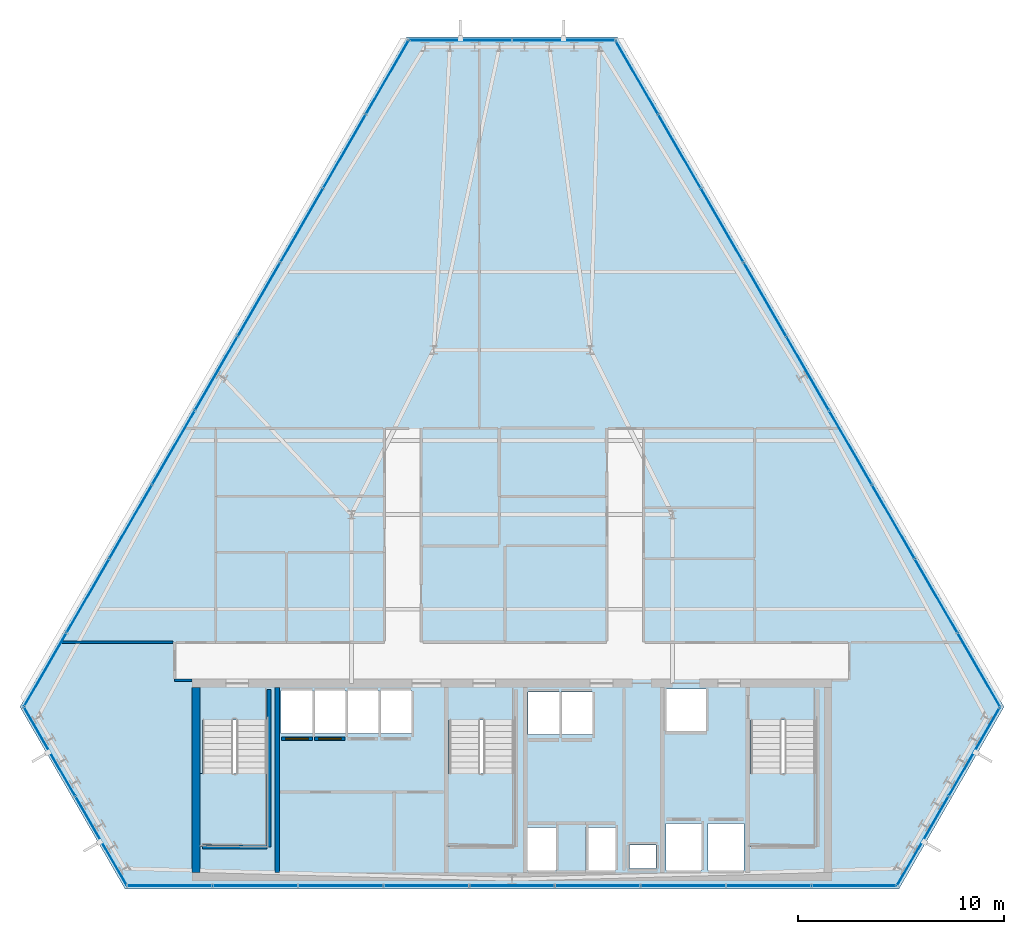
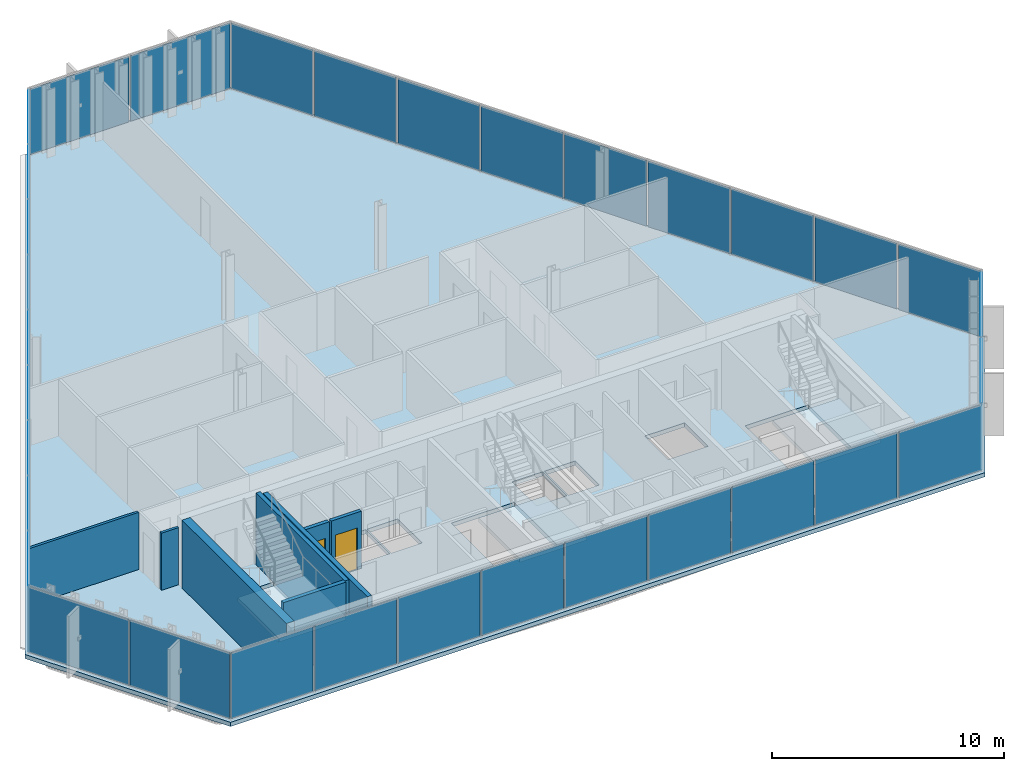
# One storey, part 27 of 35: 33 plates, 8 walls, 4 slabs, 2 doors, 2 openings, 9 elements without a shape of their own.
"""IFC4 building model written with IfcOpenShell, lengths in metres."""

from ifc_helpers import new_model, si_unit, direction, frame, frame_2d, origin, origin_2d, place, context, subcontext, project, spatial, polyline, rectangle, outline, extrude, material, layer, layer_set, type_object, element, fill, aggregate, save


model = new_model("IFC4")

# Units and contexts
model_context = context("Model", 3, precision=1e-05, world=origin(), true_north=direction((0.0, 1.0)))
body_context = subcontext(model_context, "Body", "Model", "MODEL_VIEW")
ifc_project = project(units=[si_unit("LENGTHUNIT", "METRE"), si_unit("AREAUNIT", "SQUARE_METRE"), si_unit("VOLUMEUNIT", "CUBIC_METRE"), si_unit("PLANEANGLEUNIT", "RADIAN"), si_unit("MASSUNIT", "GRAM", prefix="KILO")], contexts=[model_context])

# Site, building, storey
site_placement = place(None, origin())
site = spatial("IfcSite", under=ifc_project, at=site_placement, CompositionType="ELEMENT")
building_placement = place(site_placement, origin())
building = spatial("IfcBuilding", under=site, at=building_placement, Name="Ndaravel Arena Tower", CompositionType="ELEMENT")
storey_placement = place(building_placement, frame((0.0, 0.0, 172.60009765625)))
storey = spatial("IfcBuildingStorey", under=building, at=storey_placement, Name="L41", CompositionType="ELEMENT", Elevation=172.60009765625)

# Curtain wall, plate
ifc_material_1 = material(Name="Aluminium", Category="aluminium")
ifc_layer_1 = layer(ifc_material_1, 0.179931640625)
ifc_layer_set_1 = layer_set([ifc_layer_1], Name="Aluminium")
curtain_wall_type_1 = type_object("IfcCurtainWallType", Name="CW-SYS-01", PredefinedType="NOTDEFINED", material=ifc_layer_set_1)
curtain_wall_1_placement = place(storey_placement, origin())
curtain_wall_1 = element("IfcCurtainWall", 1, at=curtain_wall_1_placement, inside=storey, type_object=curtain_wall_type_1, Name="L41 Faceted Crystal Curtain Wall CW-L41-E02", PredefinedType="NOTDEFINED")
ifc_material_2 = material(Name="Glazing", Category="glass")
ifc_layer_2 = layer(ifc_material_2, 0.035888671875)
ifc_layer_set_2 = layer_set([ifc_layer_2], Name="Glazing")
plate_type_1 = type_object("IfcPlateType", Name="PLT-CW-OPVENT", PredefinedType="CURTAIN_PANEL", material=ifc_layer_set_2)
plate_1_placement = place(storey_placement, frame((64.467529296875, 11.6796875, 0.059814453125), z_axis=(0.0, 0.0, 1.0), x_axis=(0.5, 0.866025403784, 0.0)))
plate_1 = element("IfcPlate", 2, at=plate_1_placement, type_object=plate_type_1, Name="CW-L41-E02 Operable Vent Sash Panel 02", PredefinedType="CURTAIN_PANEL", context=body_context, shape_type="SweptSolid", body=[
    extrude(rectangle(XDim=4.938720703125, YDim=0.035888671875, at=origin_2d()), origin(), (0.0, 0.0, 1.0), 3.4599609375),
])

curtain_wall_2_placement = place(storey_placement, origin())
curtain_wall_2 = element("IfcCurtainWall", 3, at=curtain_wall_2_placement, inside=storey, type_object=curtain_wall_type_1, Name="L41 Faceted Crystal Curtain Wall CW-L41-E04", PredefinedType="NOTDEFINED")
plate_2_placement = place(storey_placement, frame((39.490478515625, 46.248291015625, 0.059814453125), z_axis=(0.0, 0.0, 1.0), x_axis=(-1.0, 0.0, 0.0)))
plate_2 = element("IfcPlate", 4, at=plate_2_placement, type_object=plate_type_1, Name="CW-L41-E04 Operable Vent Sash Panel 02", PredefinedType="CURTAIN_PANEL", context=body_context, shape_type="SweptSolid", body=[
    extrude(rectangle(XDim=4.938720703125, YDim=0.035888671875, at=origin_2d()), origin(), (0.0, 0.0, 1.0), 3.4599609375),
])

ifc_material_3 = material(Name="Aluminium", Category="aluminium")
ifc_layer_3 = layer(ifc_material_3, 0.179931640625)
ifc_layer_set_3 = layer_set([ifc_layer_3], Name="Aluminium")
curtain_wall_type_2 = type_object("IfcCurtainWallType", Name="CW-SYS-02", PredefinedType="NOTDEFINED", material=ifc_layer_set_3)
curtain_wall_3_placement = place(storey_placement, origin())
curtain_wall_3 = element("IfcCurtainWall", 5, at=curtain_wall_3_placement, inside=storey, type_object=curtain_wall_type_2, Name="L41 Faceted Crystal Curtain Wall CW-L41-E06", PredefinedType="NOTDEFINED")
plate_3_placement = place(storey_placement, frame((22.0419921875, 7.333251953125, 0.059814453125), z_axis=(0.0, 0.0, 1.0), x_axis=(0.5, -0.866025403784, 0.0)))
plate_3 = element("IfcPlate", 6, at=plate_3_placement, type_object=plate_type_1, Name="CW-L41-E06 Operable Vent Sash Panel 02", PredefinedType="CURTAIN_PANEL", context=body_context, shape_type="SweptSolid", body=[
    extrude(rectangle(XDim=4.938720703125, YDim=0.035888671875, at=origin_2d()), origin(), (0.0, 0.0, 1.0), 3.4599609375),
])

# Plate
ifc_material_4 = material(Name="Glazing", Category="glass")
ifc_layer_4 = layer(ifc_material_4, 0.031982421875)
ifc_layer_set_4 = layer_set([ifc_layer_4], Name="Glazing")
plate_type_2 = type_object("IfcPlateType", Name="PLT-GLZ-FRIT35", PredefinedType="CURTAIN_PANEL", material=ifc_layer_set_4)
plate_4_placement = place(storey_placement, frame((61.9580078125, 7.333251953125, 0.059814453125), z_axis=(0.0, 0.0, 1.0), x_axis=(0.5, 0.866025403784, 0.0)))
plate_4 = element("IfcPlate", 7, at=plate_4_placement, type_object=plate_type_2, Name="CW-L41-E02 Vision Glass Panel 01", PredefinedType="CURTAIN_PANEL", context=body_context, shape_type="SweptSolid", body=[
    extrude(rectangle(XDim=4.938720703125, YDim=0.035888671875, at=origin_2d()), origin(), (0.0, 0.0, 1.0), 3.4599609375),
])

aggregate(curtain_wall_1, [plate_4, plate_1])

plate_5_placement = place(storey_placement, frame((44.509521484375, 46.248291015625, 0.059814453125), z_axis=(0.0, 0.0, 1.0), x_axis=(-1.0, 0.0, 0.0)))
plate_5 = element("IfcPlate", 8, at=plate_5_placement, type_object=plate_type_2, Name="CW-L41-E04 Vision Glass Panel 01", PredefinedType="CURTAIN_PANEL", context=body_context, shape_type="SweptSolid", body=[
    extrude(rectangle(XDim=4.938720703125, YDim=0.035888671875, at=origin_2d()), origin(), (0.0, 0.0, 1.0), 3.4599609375),
])

aggregate(curtain_wall_2, [plate_5, plate_2])

ifc_material_5 = material(Name="Glazing", Category="glass")
ifc_layer_5 = layer(ifc_material_5, 0.035888671875)
ifc_layer_set_5 = layer_set([ifc_layer_5], Name="Glazing")
plate_type_3 = type_object("IfcPlateType", Name="PLT-GLZ-FRIT55", PredefinedType="CURTAIN_PANEL", material=ifc_layer_set_5)
plate_6_placement = place(storey_placement, frame((19.532470703125, 11.6796875, 0.059814453125), z_axis=(0.0, 0.0, 1.0), x_axis=(0.5, -0.866025403784, 0.0)))
plate_6 = element("IfcPlate", 9, at=plate_6_placement, type_object=plate_type_3, Name="CW-L41-E06 Vision Glass Panel 01", PredefinedType="CURTAIN_PANEL", context=body_context, shape_type="SweptSolid", body=[
    extrude(rectangle(XDim=4.938720703125, YDim=0.035888671875, at=origin_2d()), origin(), (0.0, 0.0, 1.0), 3.4599609375),
])

aggregate(curtain_wall_3, [plate_6, plate_3])

# Curtain wall, plates
ifc_material_6 = material(Name="Aluminium", Category="aluminium")
ifc_layer_6 = layer(ifc_material_6, 0.179931640625)
ifc_layer_set_6 = layer_set([ifc_layer_6], Name="Aluminium")
curtain_wall_type_3 = type_object("IfcCurtainWallType", Name="CW-SYS-03", PredefinedType="NOTDEFINED", material=ifc_layer_set_6)
curtain_wall_4_placement = place(storey_placement, origin())
curtain_wall_4 = element("IfcCurtainWall", 10, at=curtain_wall_4_placement, inside=storey, type_object=curtain_wall_type_3, Name="L41 Faceted Crystal Curtain Wall CW-L41-E01", PredefinedType="NOTDEFINED")
ifc_material_7 = material(Name="Glazing", Category="glass")
ifc_layer_7 = layer(ifc_material_7, 0.0400390625)
ifc_layer_set_7 = layer_set([ifc_layer_7], Name="Glazing")
plate_type_4 = type_object("IfcPlateType", Name="PLT-GLZ-LOWIRON", PredefinedType="CURTAIN_PANEL", material=ifc_layer_set_7)
plate_7_placement = place(storey_placement, frame((25.374755859375, 5.159912109375, 0.059814453125), z_axis=(0.0, 0.0, 1.0), x_axis=(1.0, 0.0, 0.0)))
plate_7 = element("IfcPlate", 11, at=plate_7_placement, type_object=plate_type_4, Name="CW-L41-E01 Vision Glass Panel 01", PredefinedType="CURTAIN_PANEL", context=body_context, shape_type="SweptSolid", body=[
    extrude(rectangle(XDim=4.076416015625, YDim=0.035888671875, at=origin_2d()), origin(), (0.0, 0.0, 1.0), 3.4599609375),
])
plate_8_placement = place(storey_placement, frame((29.531005859375, 5.159912109375, 0.059814453125), z_axis=(0.0, 0.0, 1.0), x_axis=(1.0, 0.0, 0.0)))
plate_8 = element("IfcPlate", 12, at=plate_8_placement, type_object=plate_type_4, Name="CW-L41-E01 Vision Glass Panel 02", PredefinedType="CURTAIN_PANEL", context=body_context, shape_type="SweptSolid", body=[
    extrude(rectangle(XDim=4.076416015625, YDim=0.035888671875, at=origin_2d()), origin(), (0.0, 0.0, 1.0), 3.4599609375),
])
plate_9_placement = place(storey_placement, frame((33.6875, 5.159912109375, 0.059814453125), z_axis=(0.0, 0.0, 1.0), x_axis=(1.0, 0.0, 0.0)))
plate_9 = element("IfcPlate", 13, at=plate_9_placement, type_object=plate_type_4, Name="CW-L41-E01 Vision Glass Panel 03", PredefinedType="CURTAIN_PANEL", context=body_context, shape_type="SweptSolid", body=[
    extrude(rectangle(XDim=4.076416015625, YDim=0.035888671875, at=origin_2d()), origin(), (0.0, 0.0, 1.0), 3.4599609375),
])
plate_10_placement = place(storey_placement, frame((37.84375, 5.159912109375, 0.059814453125), z_axis=(0.0, 0.0, 1.0), x_axis=(1.0, 0.0, 0.0)))
plate_10 = element("IfcPlate", 14, at=plate_10_placement, type_object=plate_type_4, Name="CW-L41-E01 Vision Glass Panel 04", PredefinedType="CURTAIN_PANEL", context=body_context, shape_type="SweptSolid", body=[
    extrude(rectangle(XDim=4.076416015625, YDim=0.035888671875, at=origin_2d()), origin(), (0.0, 0.0, 1.0), 3.4599609375),
])
plate_11_placement = place(storey_placement, frame((42.0, 5.159912109375, 0.059814453125), z_axis=(0.0, 0.0, 1.0), x_axis=(1.0, 0.0, 0.0)))
plate_11 = element("IfcPlate", 15, at=plate_11_placement, type_object=plate_type_4, Name="CW-L41-E01 Vision Glass Panel 05", PredefinedType="CURTAIN_PANEL", context=body_context, shape_type="SweptSolid", body=[
    extrude(rectangle(XDim=4.076416015625, YDim=0.035888671875, at=origin_2d()), origin(), (0.0, 0.0, 1.0), 3.4599609375),
])
plate_12_placement = place(storey_placement, frame((46.15625, 5.159912109375, 0.059814453125), z_axis=(0.0, 0.0, 1.0), x_axis=(1.0, 0.0, 0.0)))
plate_12 = element("IfcPlate", 16, at=plate_12_placement, type_object=plate_type_4, Name="CW-L41-E01 Vision Glass Panel 06", PredefinedType="CURTAIN_PANEL", context=body_context, shape_type="SweptSolid", body=[
    extrude(rectangle(XDim=4.076416015625, YDim=0.035888671875, at=origin_2d()), origin(), (0.0, 0.0, 1.0), 3.4599609375),
])
plate_13_placement = place(storey_placement, frame((50.3125, 5.159912109375, 0.059814453125), z_axis=(0.0, 0.0, 1.0), x_axis=(1.0, 0.0, 0.0)))
plate_13 = element("IfcPlate", 17, at=plate_13_placement, type_object=plate_type_4, Name="CW-L41-E01 Vision Glass Panel 07", PredefinedType="CURTAIN_PANEL", context=body_context, shape_type="SweptSolid", body=[
    extrude(rectangle(XDim=4.076416015625, YDim=0.035888671875, at=origin_2d()), origin(), (0.0, 0.0, 1.0), 3.4599609375),
])
plate_14_placement = place(storey_placement, frame((54.468994140625, 5.159912109375, 0.059814453125), z_axis=(0.0, 0.0, 1.0), x_axis=(1.0, 0.0, 0.0)))
plate_14 = element("IfcPlate", 18, at=plate_14_placement, type_object=plate_type_4, Name="CW-L41-E01 Vision Glass Panel 08", PredefinedType="CURTAIN_PANEL", context=body_context, shape_type="SweptSolid", body=[
    extrude(rectangle(XDim=4.076416015625, YDim=0.035888671875, at=origin_2d()), origin(), (0.0, 0.0, 1.0), 3.4599609375),
])
plate_15_placement = place(storey_placement, frame((58.625244140625, 5.159912109375, 0.059814453125), z_axis=(0.0, 0.0, 1.0), x_axis=(1.0, 0.0, 0.0)))
plate_15 = element("IfcPlate", 19, at=plate_15_placement, type_object=plate_type_4, Name="CW-L41-E01 Vision Glass Panel 09", PredefinedType="CURTAIN_PANEL", context=body_context, shape_type="SweptSolid", body=[
    extrude(rectangle(XDim=4.076416015625, YDim=0.035888671875, at=origin_2d()), origin(), (0.0, 0.0, 1.0), 3.4599609375),
])
aggregate(curtain_wall_4, [plate_7, plate_8, plate_9, plate_10, plate_11, plate_12, plate_13, plate_14, plate_15])

curtain_wall_5_placement = place(storey_placement, origin())
curtain_wall_5 = element("IfcCurtainWall", 20, at=curtain_wall_5_placement, inside=storey, type_object=curtain_wall_type_3, Name="L41 Faceted Crystal Curtain Wall CW-L41-E03", PredefinedType="NOTDEFINED")
plate_16_placement = place(storey_placement, frame((64.68310546875, 15.652587890625, 0.059814453125), z_axis=(0.0, 0.0, 1.0), x_axis=(-0.5, 0.866025403784, 0.0)))
plate_16 = element("IfcPlate", 21, at=plate_16_placement, type_object=plate_type_4, Name="CW-L41-E03 Vision Glass Panel 01", PredefinedType="CURTAIN_PANEL", context=body_context, shape_type="SweptSolid", body=[
    extrude(rectangle(XDim=4.076416015625, YDim=0.035888671875, at=origin_2d()), origin(), (0.0, 0.0, 1.0), 3.4599609375),
])
plate_17_placement = place(storey_placement, frame((62.60498046875, 19.252197265625, 0.059814453125), z_axis=(0.0, 0.0, 1.0), x_axis=(-0.5, 0.866025403784, 0.0)))
plate_17 = element("IfcPlate", 22, at=plate_17_placement, type_object=plate_type_4, Name="CW-L41-E03 Vision Glass Panel 02", PredefinedType="CURTAIN_PANEL", context=body_context, shape_type="SweptSolid", body=[
    extrude(rectangle(XDim=4.076416015625, YDim=0.035888671875, at=origin_2d()), origin(), (0.0, 0.0, 1.0), 3.4599609375),
])
plate_18_placement = place(storey_placement, frame((60.52685546875, 22.8515625, 0.059814453125), z_axis=(0.0, 0.0, 1.0), x_axis=(-0.5, 0.866025403784, 0.0)))
plate_18 = element("IfcPlate", 23, at=plate_18_placement, type_object=plate_type_4, Name="CW-L41-E03 Vision Glass Panel 03", PredefinedType="CURTAIN_PANEL", context=body_context, shape_type="SweptSolid", body=[
    extrude(rectangle(XDim=4.076416015625, YDim=0.035888671875, at=origin_2d()), origin(), (0.0, 0.0, 1.0), 3.4599609375),
])
plate_19_placement = place(storey_placement, frame((58.44873046875, 26.451171875, 0.059814453125), z_axis=(0.0, 0.0, 1.0), x_axis=(-0.5, 0.866025403784, 0.0)))
plate_19 = element("IfcPlate", 24, at=plate_19_placement, type_object=plate_type_4, Name="CW-L41-E03 Vision Glass Panel 04", PredefinedType="CURTAIN_PANEL", context=body_context, shape_type="SweptSolid", body=[
    extrude(rectangle(XDim=4.076416015625, YDim=0.035888671875, at=origin_2d()), origin(), (0.0, 0.0, 1.0), 3.4599609375),
])
plate_20_placement = place(storey_placement, frame((56.37060546875, 30.050537109375, 0.059814453125), z_axis=(0.0, 0.0, 1.0), x_axis=(-0.5, 0.866025403784, 0.0)))
plate_20 = element("IfcPlate", 25, at=plate_20_placement, type_object=plate_type_4, Name="CW-L41-E03 Vision Glass Panel 05", PredefinedType="CURTAIN_PANEL", context=body_context, shape_type="SweptSolid", body=[
    extrude(rectangle(XDim=4.076416015625, YDim=0.035888671875, at=origin_2d()), origin(), (0.0, 0.0, 1.0), 3.4599609375),
])
plate_21_placement = place(storey_placement, frame((54.292236328125, 33.64990234375, 0.059814453125), z_axis=(0.0, 0.0, 1.0), x_axis=(-0.5, 0.866025403784, 0.0)))
plate_21 = element("IfcPlate", 26, at=plate_21_placement, type_object=plate_type_4, Name="CW-L41-E03 Vision Glass Panel 06", PredefinedType="CURTAIN_PANEL", context=body_context, shape_type="SweptSolid", body=[
    extrude(rectangle(XDim=4.076416015625, YDim=0.035888671875, at=origin_2d()), origin(), (0.0, 0.0, 1.0), 3.4599609375),
])
plate_22_placement = place(storey_placement, frame((52.214111328125, 37.24951171875, 0.059814453125), z_axis=(0.0, 0.0, 1.0), x_axis=(-0.5, 0.866025403784, 0.0)))
plate_22 = element("IfcPlate", 27, at=plate_22_placement, type_object=plate_type_4, Name="CW-L41-E03 Vision Glass Panel 07", PredefinedType="CURTAIN_PANEL", context=body_context, shape_type="SweptSolid", body=[
    extrude(rectangle(XDim=4.076416015625, YDim=0.035888671875, at=origin_2d()), origin(), (0.0, 0.0, 1.0), 3.4599609375),
])
plate_23_placement = place(storey_placement, frame((50.135986328125, 40.84912109375, 0.059814453125), z_axis=(0.0, 0.0, 1.0), x_axis=(-0.5, 0.866025403784, 0.0)))
plate_23 = element("IfcPlate", 28, at=plate_23_placement, type_object=plate_type_4, Name="CW-L41-E03 Vision Glass Panel 08", PredefinedType="CURTAIN_PANEL", context=body_context, shape_type="SweptSolid", body=[
    extrude(rectangle(XDim=4.076416015625, YDim=0.035888671875, at=origin_2d()), origin(), (0.0, 0.0, 1.0), 3.4599609375),
])
plate_24_placement = place(storey_placement, frame((48.057861328125, 44.448486328125, 0.059814453125), z_axis=(0.0, 0.0, 1.0), x_axis=(-0.5, 0.866025403784, 0.0)))
plate_24 = element("IfcPlate", 29, at=plate_24_placement, type_object=plate_type_4, Name="CW-L41-E03 Vision Glass Panel 09", PredefinedType="CURTAIN_PANEL", context=body_context, shape_type="SweptSolid", body=[
    extrude(rectangle(XDim=4.076416015625, YDim=0.035888671875, at=origin_2d()), origin(), (0.0, 0.0, 1.0), 3.4599609375),
])
aggregate(curtain_wall_5, [plate_16, plate_17, plate_18, plate_19, plate_20, plate_21, plate_22, plate_23, plate_24])

curtain_wall_6_placement = place(storey_placement, origin())
curtain_wall_6 = element("IfcCurtainWall", 30, at=curtain_wall_6_placement, inside=storey, type_object=curtain_wall_type_3, Name="L41 Faceted Crystal Curtain Wall CW-L41-E05", PredefinedType="NOTDEFINED")
plate_25_placement = place(storey_placement, frame((35.942138671875, 44.448486328125, 0.059814453125), z_axis=(0.0, 0.0, 1.0), x_axis=(-0.5, -0.866025403784, 0.0)))
plate_25 = element("IfcPlate", 31, at=plate_25_placement, type_object=plate_type_4, Name="CW-L41-E05 Vision Glass Panel 01", PredefinedType="CURTAIN_PANEL", context=body_context, shape_type="SweptSolid", body=[
    extrude(rectangle(XDim=4.076416015625, YDim=0.035888671875, at=origin_2d()), origin(), (0.0, 0.0, 1.0), 3.4599609375),
])
plate_26_placement = place(storey_placement, frame((33.864013671875, 40.84912109375, 0.059814453125), z_axis=(0.0, 0.0, 1.0), x_axis=(-0.5, -0.866025403784, 0.0)))
plate_26 = element("IfcPlate", 32, at=plate_26_placement, type_object=plate_type_4, Name="CW-L41-E05 Vision Glass Panel 02", PredefinedType="CURTAIN_PANEL", context=body_context, shape_type="SweptSolid", body=[
    extrude(rectangle(XDim=4.076416015625, YDim=0.035888671875, at=origin_2d()), origin(), (0.0, 0.0, 1.0), 3.4599609375),
])
plate_27_placement = place(storey_placement, frame((31.785888671875, 37.24951171875, 0.059814453125), z_axis=(0.0, 0.0, 1.0), x_axis=(-0.5, -0.866025403784, 0.0)))
plate_27 = element("IfcPlate", 33, at=plate_27_placement, type_object=plate_type_4, Name="CW-L41-E05 Vision Glass Panel 03", PredefinedType="CURTAIN_PANEL", context=body_context, shape_type="SweptSolid", body=[
    extrude(rectangle(XDim=4.076416015625, YDim=0.035888671875, at=origin_2d()), origin(), (0.0, 0.0, 1.0), 3.4599609375),
])
plate_28_placement = place(storey_placement, frame((29.707763671875, 33.64990234375, 0.059814453125), z_axis=(0.0, 0.0, 1.0), x_axis=(-0.5, -0.866025403784, 0.0)))
plate_28 = element("IfcPlate", 34, at=plate_28_placement, type_object=plate_type_4, Name="CW-L41-E05 Vision Glass Panel 04", PredefinedType="CURTAIN_PANEL", context=body_context, shape_type="SweptSolid", body=[
    extrude(rectangle(XDim=4.076416015625, YDim=0.035888671875, at=origin_2d()), origin(), (0.0, 0.0, 1.0), 3.4599609375),
])
plate_29_placement = place(storey_placement, frame((27.62939453125, 30.050537109375, 0.059814453125), z_axis=(0.0, 0.0, 1.0), x_axis=(-0.5, -0.866025403784, 0.0)))
plate_29 = element("IfcPlate", 35, at=plate_29_placement, type_object=plate_type_4, Name="CW-L41-E05 Vision Glass Panel 05", PredefinedType="CURTAIN_PANEL", context=body_context, shape_type="SweptSolid", body=[
    extrude(rectangle(XDim=4.076416015625, YDim=0.035888671875, at=origin_2d()), origin(), (0.0, 0.0, 1.0), 3.4599609375),
])
plate_30_placement = place(storey_placement, frame((25.55126953125, 26.451171875, 0.059814453125), z_axis=(0.0, 0.0, 1.0), x_axis=(-0.5, -0.866025403784, 0.0)))
plate_30 = element("IfcPlate", 36, at=plate_30_placement, type_object=plate_type_4, Name="CW-L41-E05 Vision Glass Panel 06", PredefinedType="CURTAIN_PANEL", context=body_context, shape_type="SweptSolid", body=[
    extrude(rectangle(XDim=4.076416015625, YDim=0.035888671875, at=origin_2d()), origin(), (0.0, 0.0, 1.0), 3.4599609375),
])
plate_31_placement = place(storey_placement, frame((23.47314453125, 22.8515625, 0.059814453125), z_axis=(0.0, 0.0, 1.0), x_axis=(-0.5, -0.866025403784, 0.0)))
plate_31 = element("IfcPlate", 37, at=plate_31_placement, type_object=plate_type_4, Name="CW-L41-E05 Vision Glass Panel 07", PredefinedType="CURTAIN_PANEL", context=body_context, shape_type="SweptSolid", body=[
    extrude(rectangle(XDim=4.076416015625, YDim=0.035888671875, at=origin_2d()), origin(), (0.0, 0.0, 1.0), 3.4599609375),
])
plate_32_placement = place(storey_placement, frame((21.39501953125, 19.252197265625, 0.059814453125), z_axis=(0.0, 0.0, 1.0), x_axis=(-0.5, -0.866025403784, 0.0)))
plate_32 = element("IfcPlate", 38, at=plate_32_placement, type_object=plate_type_4, Name="CW-L41-E05 Vision Glass Panel 08", PredefinedType="CURTAIN_PANEL", context=body_context, shape_type="SweptSolid", body=[
    extrude(rectangle(XDim=4.076416015625, YDim=0.035888671875, at=origin_2d()), origin(), (0.0, 0.0, 1.0), 3.4599609375),
])
plate_33_placement = place(storey_placement, frame((19.31689453125, 15.652587890625, 0.059814453125), z_axis=(0.0, 0.0, 1.0), x_axis=(-0.5, -0.866025403784, 0.0)))
plate_33 = element("IfcPlate", 39, at=plate_33_placement, type_object=plate_type_4, Name="CW-L41-E05 Vision Glass Panel 09", PredefinedType="CURTAIN_PANEL", context=body_context, shape_type="SweptSolid", body=[
    extrude(rectangle(XDim=4.076416015625, YDim=0.035888671875, at=origin_2d()), origin(), (0.0, 0.0, 1.0), 3.4599609375),
])
aggregate(curtain_wall_6, [plate_25, plate_26, plate_27, plate_28, plate_29, plate_30, plate_31, plate_32, plate_33])

# Stair, slab
ifc_material_8 = material(Name="Concrete C40/50", Category="concrete")
stair_type = type_object("IfcStairType", Name="STAIR-CORE-HT", PredefinedType="HALF_TURN_STAIR", material=ifc_material_8)
stair_1_placement = place(storey_placement, origin())
stair_1 = element("IfcStair", 40, at=stair_1_placement, inside=storey, type_object=stair_type, Name="L41 ST-1", PredefinedType="HALF_TURN_STAIR")
ifc_material_9 = material(Name="Concrete C40/50", Category="concrete")
ifc_layer_8 = layer(ifc_material_9, 0.199951171875)
ifc_layer_set_8 = layer_set([ifc_layer_8], Name="Concrete C40/50")
slab_type_1 = type_object("IfcSlabType", Name="SLAB-STAIR-LANDING", PredefinedType="LANDING", material=ifc_layer_set_8)
slab_1_placement = place(storey_placement, frame((0.0, 0.0, 1.699951171875)))
slab_1 = element("IfcSlab", 41, at=slab_1_placement, type_object=slab_type_1, Name="ST-1 landing 1", PredefinedType="LANDING", context=body_context, shape_type="SweptSolid", body=[
    extrude(outline(polyline([(26.81005859375, 10.6298828125), (26.81005859375, 7.070068359375), (30.169921875, 7.070068359375), (30.169921875, 10.6298828125), (26.81005859375, 10.6298828125)])), origin(), (0.0, 0.0, 1.0), 0.199951171875),
])
aggregate(stair_1, [slab_1])

stair_2_placement = place(storey_placement, origin())
stair_2 = element("IfcStair", 42, at=stair_2_placement, inside=storey, type_object=stair_type, Name="L41 ST-2", PredefinedType="HALF_TURN_STAIR")
slab_2_placement = place(storey_placement, frame((0.0, 0.0, 1.699951171875)))
slab_2 = element("IfcSlab", 43, at=slab_2_placement, type_object=slab_type_1, Name="ST-2 landing 1", PredefinedType="LANDING", context=body_context, shape_type="SweptSolid", body=[
    extrude(outline(polyline([(38.81005859375, 10.6298828125), (38.81005859375, 7.070068359375), (42.169921875, 7.070068359375), (42.169921875, 10.6298828125), (38.81005859375, 10.6298828125)])), origin(), (0.0, 0.0, 1.0), 0.199951171875),
])
aggregate(stair_2, [slab_2])

stair_3_placement = place(storey_placement, origin())
stair_3 = element("IfcStair", 44, at=stair_3_placement, inside=storey, type_object=stair_type, Name="L41 ST-3", PredefinedType="HALF_TURN_STAIR")
slab_3_placement = place(storey_placement, frame((0.0, 0.0, 1.699951171875)))
slab_3 = element("IfcSlab", 45, at=slab_3_placement, type_object=slab_type_1, Name="ST-3 landing 1", PredefinedType="LANDING", context=body_context, shape_type="SweptSolid", body=[
    extrude(outline(polyline([(53.4599609375, 10.6298828125), (53.4599609375, 7.070068359375), (56.820068359375, 7.070068359375), (56.820068359375, 10.6298828125), (53.4599609375, 10.6298828125)])), origin(), (0.0, 0.0, 1.0), 0.199951171875),
])
aggregate(stair_3, [slab_3])

# Slab
ifc_material_10 = material(Name="Concrete C40/50", Category="concrete")
ifc_layer_9 = layer(ifc_material_10, 0.219970703125)
ifc_layer_set_9 = layer_set([ifc_layer_9], Name="Concrete C40/50")
slab_type_2 = type_object("IfcSlabType", Name="SLAB-TWR-220", PredefinedType="FLOOR", material=ifc_layer_set_9)
slab_4_placement = place(storey_placement, frame((0.0, 0.0, -0.22021484375)))
element("IfcSlab", 46, at=slab_4_placement, inside=storey, type_object=slab_type_2, Name="L41 Structural Floor Slab", PredefinedType="FLOOR", context=body_context, shape_type="SweptSolid", body=[
    extrude(outline(polyline([(18.093017578125, 13.852783203125), (23.2041015625, 5.0), (60.7958984375, 5.0), (65.906982421875, 13.852783203125), (47.111083984375, 46.408203125), (36.888916015625, 46.408203125), (18.093017578125, 13.852783203125)]), holes=[polyline([(26.949951171875, 13.215087890625), (26.949951171875, 7.14990234375), (30.090087890625, 7.14990234375), (30.090087890625, 13.215087890625), (26.949951171875, 13.215087890625)]), polyline([(38.949951171875, 13.215087890625), (38.949951171875, 7.14990234375), (42.090087890625, 7.14990234375), (42.090087890625, 13.215087890625), (38.949951171875, 13.215087890625)]), polyline([(53.60009765625, 13.215087890625), (53.60009765625, 7.14990234375), (56.739990234375, 7.14990234375), (56.739990234375, 13.215087890625), (53.60009765625, 13.215087890625)]), polyline([(30.784912109375, 12.56005859375), (32.31494140625, 12.56005859375), (32.31494140625, 14.639892578125), (30.784912109375, 14.639892578125), (30.784912109375, 12.56005859375)]), polyline([(32.385009765625, 12.56005859375), (33.9150390625, 12.56005859375), (33.9150390625, 14.639892578125), (32.385009765625, 14.639892578125), (32.385009765625, 12.56005859375)]), polyline([(33.985107421875, 12.56005859375), (35.514892578125, 12.56005859375), (35.514892578125, 14.639892578125), (33.985107421875, 14.639892578125), (33.985107421875, 12.56005859375)]), polyline([(35.5849609375, 12.56005859375), (37.114990234375, 12.56005859375), (37.114990234375, 14.639892578125), (35.5849609375, 14.639892578125), (35.5849609375, 12.56005859375)]), polyline([(42.659912109375, 5.909912109375), (44.139892578125, 5.909912109375), (44.139892578125, 7.989990234375), (42.659912109375, 7.989990234375), (42.659912109375, 5.909912109375)]), polyline([(45.56005859375, 5.909912109375), (47.0400390625, 5.909912109375), (47.0400390625, 7.989990234375), (45.56005859375, 7.989990234375), (45.56005859375, 5.909912109375)]), polyline([(42.784912109375, 12.510009765625), (44.31494140625, 12.510009765625), (44.31494140625, 14.590087890625), (42.784912109375, 14.590087890625), (42.784912109375, 12.510009765625)]), polyline([(44.385009765625, 12.510009765625), (45.9150390625, 12.510009765625), (45.9150390625, 14.590087890625), (44.385009765625, 14.590087890625), (44.385009765625, 12.510009765625)]), polyline([(49.485107421875, 5.909912109375), (51.215087890625, 5.909912109375), (51.215087890625, 8.18994140625), (49.485107421875, 8.18994140625), (49.485107421875, 5.909912109375)]), polyline([(51.534912109375, 5.909912109375), (53.264892578125, 5.909912109375), (53.264892578125, 8.18994140625), (51.534912109375, 8.18994140625), (51.534912109375, 5.909912109375)]), polyline([(49.4599609375, 12.68505859375), (51.43994140625, 12.68505859375), (51.43994140625, 14.715087890625), (49.4599609375, 14.715087890625), (49.4599609375, 12.68505859375)]), polyline([(47.699951171875, 6.0), (49.0, 6.0), (49.0, 7.139892578125), (47.699951171875, 7.139892578125), (47.699951171875, 6.0)])]), origin(), (0.0, 0.0, 1.0), 0.22021484375),
])

# Walls
ifc_material_11 = material(Name="Concrete C50/60", Category="concrete")
ifc_layer_10 = layer(ifc_material_11, 0.219970703125)
ifc_layer_set_10 = layer_set([ifc_layer_10], Name="Concrete C50/60")
wall_type_1 = type_object("IfcWallType", Name="WALL-CORE-220", PredefinedType="SOLIDWALL", material=ifc_layer_set_10)
wall_1_placement = place(storey_placement, frame((30.60009765625, 5.800048828125, 0.0), z_axis=(0.0, 0.0, 1.0), x_axis=(0.0, 1.0, 0.0)))
element("IfcWall", 47, at=wall_1_placement, inside=storey, type_object=wall_type_1, Name="L41 Core Web Shear Wall 1", PredefinedType="SOLIDWALL", context=body_context, shape_type="SweptSolid", body=[
    extrude(rectangle(XDim=9.0, YDim=0.219970703125, at=frame_2d((4.5, 0.0))), origin(), (0.0, 0.0, 1.0), 3.579833984375),
])
ifc_material_12 = material(Name="Concrete C50/60", Category="concrete")
ifc_layer_11 = layer(ifc_material_12, 0.39990234375)
ifc_layer_set_11 = layer_set([ifc_layer_11], Name="Concrete C50/60")
wall_type_2 = type_object("IfcWallType", Name="WALL-CORE-400", PredefinedType="SOLIDWALL", material=ifc_layer_set_11)
wall_2_placement = place(storey_placement, frame((26.64990234375, 5.800048828125, 0.0), z_axis=(0.0, 0.0, 1.0), x_axis=(0.0, 1.0, 0.0)))
element("IfcWall", 48, at=wall_2_placement, inside=storey, type_object=wall_type_2, Name="L41 Core West Shear Wall", PredefinedType="SOLIDWALL", context=body_context, shape_type="SweptSolid", body=[
    extrude(rectangle(XDim=9.0, YDim=0.39990234375, at=frame_2d((4.5, 0.0))), origin(), (0.0, 0.0, 1.0), 3.579833984375),
])
ifc_material_13 = material(Name="Gypsum", Category="gypsum")
ifc_layer_12 = layer(ifc_material_13, 0.125)
ifc_layer_set_12 = layer_set([ifc_layer_12], Name="Gypsum")
wall_type_3 = type_object("IfcWallType", Name="WALL-PART-125", PredefinedType="PARTITIONING", material=ifc_layer_set_12)
wall_3_placement = place(storey_placement, frame((26.449951171875, 15.14990234375, 0.0), z_axis=(0.0, 0.0, 1.0), x_axis=(-1.0, 0.0, 0.0)))
element("IfcWall", 49, at=wall_3_placement, inside=storey, type_object=wall_type_3, Name="L41 Interior Partition 003", PredefinedType="PARTITIONING", context=body_context, shape_type="SweptSolid", body=[
    extrude(rectangle(XDim=0.849853515625, YDim=0.125, at=frame_2d((0.4248046875, 0.0))), origin(), (0.0, 0.0, 1.0), 3.010498046875),
])
wall_4_placement = place(storey_placement, frame((20.0947265625, 17.0, 0.0), z_axis=(0.0, 0.0, 1.0), x_axis=(1.0, 0.0, 0.0)))
element("IfcWall", 50, at=wall_4_placement, inside=storey, type_object=wall_type_3, Name="L41 Interior Partition 025", PredefinedType="PARTITIONING", context=body_context, shape_type="SweptSolid", body=[
    extrude(rectangle(XDim=5.440185546875, YDim=0.125, at=frame_2d((2.72021484375, 0.0))), origin(), (0.0, 0.0, 1.0), 3.010498046875),
])
ifc_material_14 = material(Name="Concrete C40/50", Category="concrete")
ifc_layer_13 = layer(ifc_material_14, 0.199951171875)
ifc_layer_set_13 = layer_set([ifc_layer_13], Name="Concrete C40/50")
wall_type_4 = type_object("IfcWallType", Name="WALL-SHAFT-200", PredefinedType="SOLIDWALL", material=ifc_layer_set_13)
wall_5_placement = place(storey_placement, frame((30.18994140625, 14.699951171875, 0.0), z_axis=(0.0, 0.0, 1.0), x_axis=(0.0, -1.0, 0.0)))
element("IfcWall", 51, at=wall_5_placement, inside=storey, type_object=wall_type_4, Name="L41 ST-1 Structural Shaft Wall Right", PredefinedType="SOLIDWALL", context=body_context, shape_type="SweptSolid", body=[
    extrude(rectangle(XDim=7.64990234375, YDim=0.199951171875, at=frame_2d((3.824951171875, 0.0))), origin(), (0.0, 0.0, 1.0), 3.7998046875),
])
wall_6_placement = place(storey_placement, frame((26.969970703125, 7.050048828125, 0.0), z_axis=(0.0, 0.0, 1.0), x_axis=(1.0, 0.0, 0.0)))
element("IfcWall", 52, at=wall_6_placement, inside=storey, type_object=wall_type_4, Name="L41 ST-1 Structural Shaft Wall Far", PredefinedType="SOLIDWALL", context=body_context, shape_type="SweptSolid", body=[
    extrude(rectangle(XDim=3.114990234375, YDim=0.199951171875, at=frame_2d((1.5576171875, 0.0))), origin(), (0.0, 0.0, 1.0), 3.7998046875),
])

# Wall, opening, door
wall_7_placement = place(storey_placement, frame((30.804931640625, 12.300048828125, 0.0), z_axis=(0.0, 0.0, 1.0), x_axis=(1.0, 0.0, 0.0)))
wall_7 = element("IfcWall", 53, at=wall_7_placement, inside=storey, type_object=wall_type_4, Name="L41 PL-M1 Shaft Landing Wall", PredefinedType="SOLIDWALL", context=body_context, shape_type="SweptSolid", body=[
    extrude(rectangle(XDim=1.489990234375, YDim=0.179931640625, at=frame_2d((0.7451171875, 0.0))), origin(), (0.0, 0.0, 1.0), 3.010498046875),
])
opening_1_placement = place(wall_7_placement, frame((0.195068359375, 0.0, 0.0)))
opening_1 = element("IfcOpeningElement", 54, at=opening_1_placement, cuts=wall_7, Name="Opening LD-01", PredefinedType="OPENING", context=body_context, shape_type="SweptSolid", body=[
    extrude(rectangle(XDim=1.10009765625, YDim=2.199951171875, at=frame_2d((0.550048828125, 1.10009765625))), frame((0.0, 0.08984375, 0.0), z_axis=(0.0, -1.0, 0.0), x_axis=(1.0, 0.0, 0.0)), (0.0, 0.0, 1.0), 0.179931640625),
])
ifc_material_15 = material(Name="Steel S355", Category="steel")
door_type = type_object("IfcDoorType", Name="DT-06-LIFT-1100", OperationType="SLIDING_TO_LEFT", PredefinedType="DOOR", material=ifc_material_15)
door_1_placement = place(opening_1_placement, origin())
door_1 = element("IfcDoor", 55, at=door_1_placement, inside=storey, type_object=door_type, Name="L41 Lift PL-M1 Sliding Landing Door", OperationType="SLIDING_TO_LEFT", OverallHeight=2.199951171875, OverallWidth=1.10009765625, PredefinedType="DOOR", context=body_context, shape_type="SweptSolid", body=[
    extrude(rectangle(XDim=1.10009765625, YDim=2.199951171875, at=frame_2d((0.550048828125, 1.10009765625))), frame((0.0, 0.02490234375, 0.0), z_axis=(0.0, -1.0, 0.0), x_axis=(1.0, 0.0, 0.0)), (0.0, 0.0, 1.0), 0.050048828125),
])
fill(opening_1, door_1)

wall_8_placement = place(storey_placement, frame((32.405029296875, 12.300048828125, 0.0), z_axis=(0.0, 0.0, 1.0), x_axis=(1.0, 0.0, 0.0)))
wall_8 = element("IfcWall", 56, at=wall_8_placement, inside=storey, type_object=wall_type_4, Name="L41 PL-M2 Shaft Landing Wall", PredefinedType="SOLIDWALL", context=body_context, shape_type="SweptSolid", body=[
    extrude(rectangle(XDim=1.489990234375, YDim=0.179931640625, at=frame_2d((0.7451171875, 0.0))), origin(), (0.0, 0.0, 1.0), 3.010498046875),
])
opening_2_placement = place(wall_8_placement, frame((0.195068359375, 0.0, 0.0)))
opening_2 = element("IfcOpeningElement", 57, at=opening_2_placement, cuts=wall_8, Name="Opening LD-01", PredefinedType="OPENING", context=body_context, shape_type="SweptSolid", body=[
    extrude(rectangle(XDim=1.10009765625, YDim=2.199951171875, at=frame_2d((0.550048828125, 1.10009765625))), frame((0.0, 0.08984375, 0.0), z_axis=(0.0, -1.0, 0.0), x_axis=(1.0, 0.0, 0.0)), (0.0, 0.0, 1.0), 0.179931640625),
])
door_2_placement = place(opening_2_placement, origin())
door_2 = element("IfcDoor", 58, at=door_2_placement, inside=storey, type_object=door_type, Name="L41 Lift PL-M2 Sliding Landing Door", OperationType="SLIDING_TO_LEFT", OverallHeight=2.199951171875, OverallWidth=1.10009765625, PredefinedType="DOOR", context=body_context, shape_type="SweptSolid", body=[
    extrude(rectangle(XDim=1.10009765625, YDim=2.199951171875, at=frame_2d((0.550048828125, 1.10009765625))), frame((0.0, 0.02490234375, 0.0), z_axis=(0.0, -1.0, 0.0), x_axis=(1.0, 0.0, 0.0)), (0.0, 0.0, 1.0), 0.050048828125),
])
fill(opening_2, door_2)

save(model, "model.ifc")
